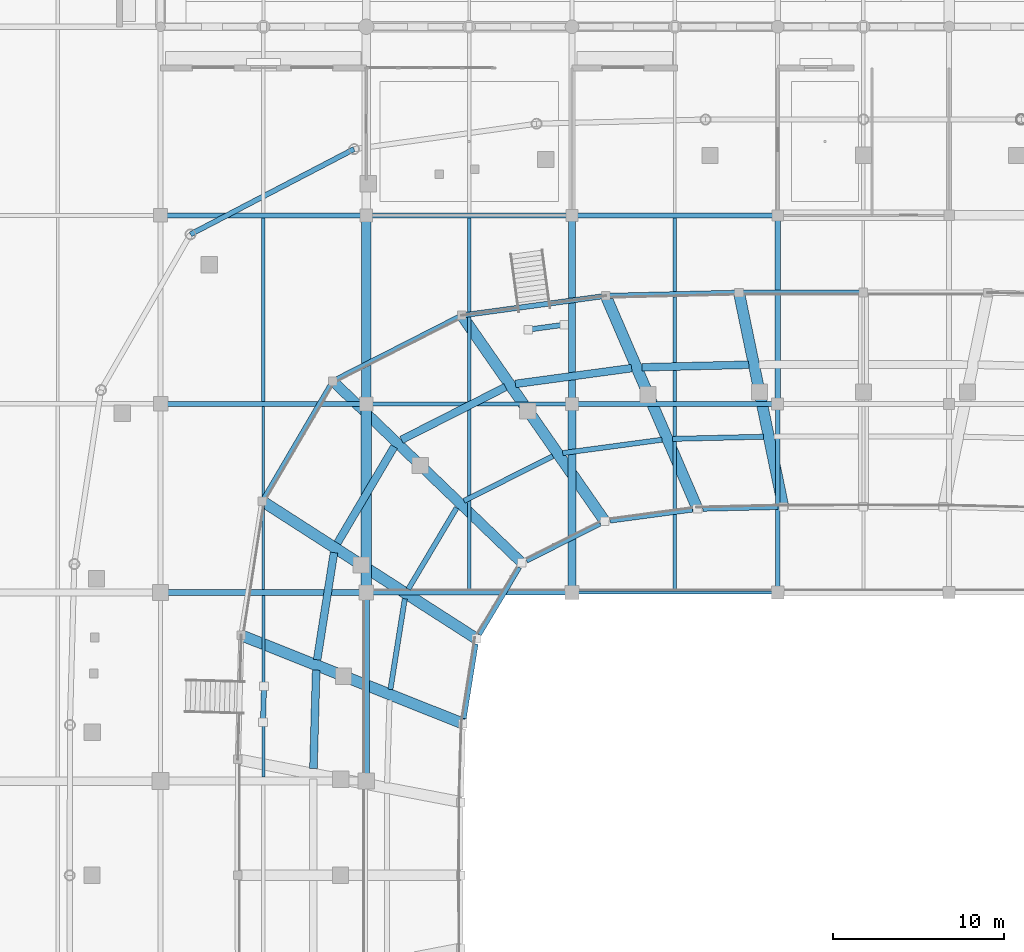
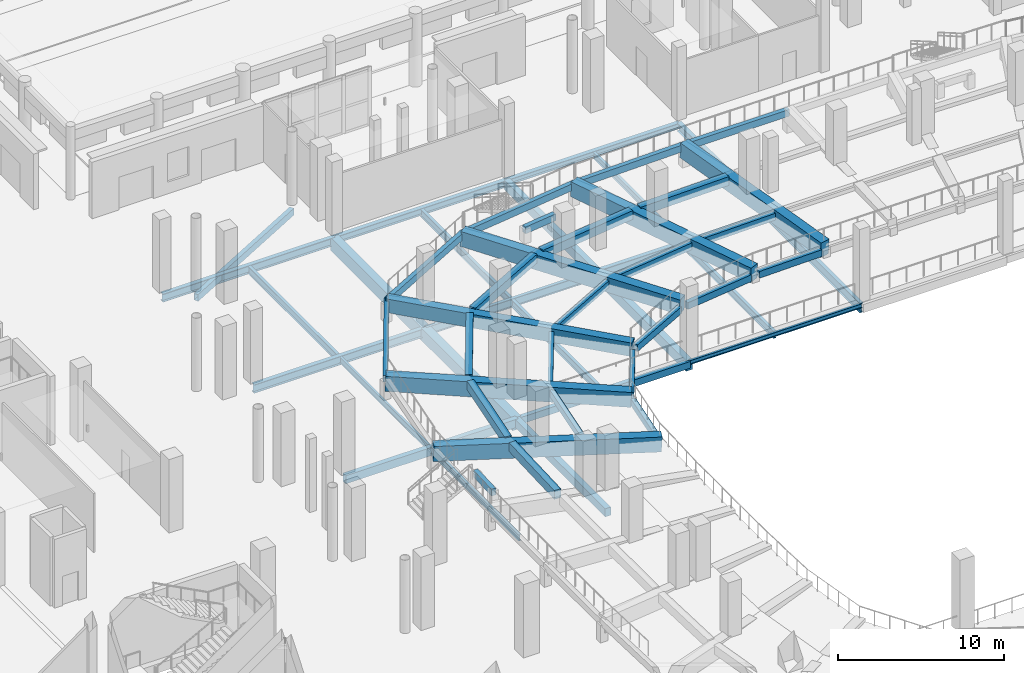
# One storey, part 25 of 120: 53 beams.
"""IFC4 building model written with IfcOpenShell, lengths in metres."""

from ifc_helpers import new_model, si_unit, direction, frame, origin, origin_2d, place, context, subcontext, project, spatial, rectangle, hollow_rectangle, i_section, extrude, material, material_profile, profile_set, type_object, element, save


model = new_model("IFC4")

# Units and contexts
model_context = context("Model", 3, precision=1e-05, world=origin(), true_north=direction((0.0, 1.0)))
body_context = subcontext(model_context, "Body", "Model", "MODEL_VIEW")
ifc_project = project(units=[si_unit("LENGTHUNIT", "METRE"), si_unit("AREAUNIT", "SQUARE_METRE"), si_unit("VOLUMEUNIT", "CUBIC_METRE"), si_unit("PLANEANGLEUNIT", "RADIAN"), si_unit("MASSUNIT", "GRAM", prefix="KILO")], contexts=[model_context])

# Site, building, storey
site_placement = place(None, origin())
site = spatial("IfcSite", under=ifc_project, at=site_placement, CompositionType="ELEMENT")
building_placement = place(site_placement, origin())
building = spatial("IfcBuilding", under=site, at=building_placement, Name="Luwafu Chhajja Arena", CompositionType="ELEMENT")
storey_placement = place(building_placement, origin())
storey = spatial("IfcBuildingStorey", under=building, at=storey_placement, Name="L00", CompositionType="ELEMENT", Elevation=0.0)

# Beams
ifc_material_1 = material(Name="Concrete C35/45", Category="concrete")
ifc_material_profile_1 = material_profile(ifc_material_1, rectangle(XDim=0.35009765625, YDim=0.60009765625, at=origin_2d()), Name="RC 350x600")
ifc_profile_set_1 = profile_set([ifc_material_profile_1], Name="Concrete C35/45")
beam_type_1 = type_object("IfcBeamType", Name="Arcade Tie Beam RC 350x600", PredefinedType="BEAM", material=ifc_profile_set_1)
beam_1_placement = place(storey_placement, frame((58.0, 66.0, -0.64990234375), z_axis=(1.0, 0.0, 0.0), x_axis=(0.0, 1.0, 0.0)))
element("IfcBeam", 1, at=beam_1_placement, inside=storey, type_object=beam_type_1, Name="L00 Grid Beam 6-7/G", PredefinedType="BEAM", context=body_context, shape_type="SweptSolid", body=[
    extrude(rectangle(XDim=0.35009765625, YDim=0.60009765625, at=origin_2d()), origin(), (0.0, 0.0, 1.0), 12.0),
])
ifc_material_2 = material(Name="Precast concrete C40/50", Category="concrete")
ifc_material_profile_2 = material_profile(ifc_material_2, rectangle(XDim=0.449951171875, YDim=0.64990234375, at=origin_2d()), Name="RC 450x650")
ifc_profile_set_2 = profile_set([ifc_material_profile_2], Name="Precast concrete C40/50")
beam_type_2 = type_object("IfcBeamType", Name="Bowl Tier Ring Beam RC 450x650", PredefinedType="BEAM", material=ifc_profile_set_2)
beam_2_placement = place(storey_placement, frame((92.311767578125, 79.28466796875, 1.304931640625), z_axis=(-0.999710285988, -0.024069567704, 0.0), x_axis=(0.024069567704, -0.999710285988, 0.0)))
element("IfcBeam", 2, at=beam_2_placement, inside=storey, type_object=beam_type_2, Name="Lower Tier Ring Beam S10-B3", PredefinedType="BEAM", context=body_context, shape_type="SweptSolid", body=[
    extrude(rectangle(XDim=0.449951171875, YDim=0.64990234375, at=origin_2d()), origin(), (0.0, 0.0, 1.0), 6.227783203125),
])
beam_3_placement = place(storey_placement, frame((85.478515625, 79.08642578125, 1.304931640625), z_axis=(-0.990929994437, -0.134379113429, 0.0), x_axis=(0.134379113429, -0.990929994437, 0.0)))
element("IfcBeam", 3, at=beam_3_placement, inside=storey, type_object=beam_type_2, Name="Lower Tier Ring Beam S11-B3", PredefinedType="BEAM", context=body_context, shape_type="SweptSolid", body=[
    extrude(rectangle(XDim=0.449951171875, YDim=0.64990234375, at=origin_2d()), origin(), (0.0, 0.0, 1.0), 6.842041015625),
])
beam_4_placement = place(storey_placement, frame((78.12451171875, 77.98779296875, 1.304931640625), z_axis=(-0.891546916396, -0.452928356216, 0.0), x_axis=(0.452928356216, -0.891546916396, 0.0)))
element("IfcBeam", 4, at=beam_4_placement, inside=storey, type_object=beam_type_2, Name="Lower Tier Ring Beam S12-B3", PredefinedType="BEAM", context=body_context, shape_type="SweptSolid", body=[
    extrude(rectangle(XDim=0.449951171875, YDim=0.64990234375, at=origin_2d()), origin(), (0.0, 0.0, 1.0), 6.807373046875),
])
beam_5_placement = place(storey_placement, frame((71.628662109375, 74.503662109375, 1.304931640625), z_axis=(-0.507802544164, -0.861473491258, 0.0), x_axis=(0.861473491258, -0.507802544164, 0.0)))
element("IfcBeam", 5, at=beam_5_placement, inside=storey, type_object=beam_type_2, Name="Lower Tier Ring Beam S13-B3", PredefinedType="BEAM", context=body_context, shape_type="SweptSolid", body=[
    extrude(rectangle(XDim=0.449951171875, YDim=0.64990234375, at=origin_2d()), origin(), (0.0, 0.0, 1.0), 6.516357421875),
])
beam_6_placement = place(storey_placement, frame((68.1171875, 68.325927734375, 1.304931640625), z_axis=(-0.155447556013, -0.987844146275, 0.0), x_axis=(0.987844146275, -0.155447556013, 0.0)))
element("IfcBeam", 6, at=beam_6_placement, inside=storey, type_object=beam_type_2, Name="Lower Tier Ring Beam S14-B3", PredefinedType="BEAM", context=body_context, shape_type="SweptSolid", body=[
    extrude(rectangle(XDim=0.449951171875, YDim=0.64990234375, at=origin_2d()), origin(), (0.0, 0.0, 1.0), 6.329345703125),
])
beam_7_placement = place(storey_placement, frame((67.077392578125, 61.46728515625, 1.304931640625), z_axis=(-0.02790877048, -0.9996104744, 0.0), x_axis=(0.9996104744, -0.02790877048, 0.0)))
element("IfcBeam", 7, at=beam_7_placement, inside=storey, type_object=beam_type_2, Name="Lower Tier Ring Beam S15-B3", PredefinedType="BEAM", context=body_context, shape_type="SweptSolid", body=[
    extrude(rectangle(XDim=0.449951171875, YDim=0.64990234375, at=origin_2d()), origin(), (0.0, 0.0, 1.0), 5.738525390625),
])
ifc_material_3 = material(Name="Steel S355", Category="steel")
ifc_material_profile_3 = material_profile(ifc_material_3, i_section(OverallWidth=0.165771484375, OverallDepth=0.306640625, WebThickness=0.006591796875, FlangeThickness=0.01171875, at=origin_2d()), Name="UB 305x165x46")
ifc_profile_set_3 = profile_set([ifc_material_profile_3], Name="Steel S355")
beam_type_3 = type_object("IfcBeamType", Name="Concourse Edge Spandrel Beam UB 305x165x46", PredefinedType="SPANDREL", material=ifc_profile_set_3)
beam_8_placement = place(storey_placement, frame((82.0, 66.0, -0.50341796875), z_axis=(1.0, 0.0, 0.0), x_axis=(0.0, 1.0, 0.0)))
element("IfcBeam", 8, at=beam_8_placement, inside=storey, type_object=beam_type_3, Name="L00 Grid Beam 8-9/G", PredefinedType="SPANDREL", context=body_context, shape_type="SweptSolid", body=[
    extrude(i_section(OverallWidth=0.165771484375, OverallDepth=0.306640625, WebThickness=0.006591796875, FlangeThickness=0.01171875, at=origin_2d()), origin(), (0.0, 0.0, 1.0), 12.0),
])
ifc_material_profile_4 = material_profile(ifc_material_1, rectangle(XDim=0.60009765625, YDim=0.89990234375, at=origin_2d()), Name="RC 600x900")
ifc_profile_set_4 = profile_set([ifc_material_profile_4], Name="Concrete C35/45")
beam_type_4 = type_object("IfcBeamType", Name="Concourse Primary Girder RC 600x900", PredefinedType="BEAM", material=ifc_profile_set_4)
beam_9_placement = place(storey_placement, frame((70.0, 66.0, -0.800048828125), z_axis=(0.0, 1.0, 0.0), x_axis=(-1.0, 0.0, 0.0)))
element("IfcBeam", 9, at=beam_9_placement, inside=storey, type_object=beam_type_4, Name="L00 Grid Beam 7/G-H", PredefinedType="BEAM", context=body_context, shape_type="SweptSolid", body=[
    extrude(rectangle(XDim=0.60009765625, YDim=0.89990234375, at=origin_2d()), origin(), (0.0, 0.0, 1.0), 11.0),
])
ifc_material_profile_5 = material_profile(ifc_material_1, rectangle(XDim=0.550048828125, YDim=0.949951171875, at=origin_2d()), Name="RC 550x950")
ifc_profile_set_5 = profile_set([ifc_material_profile_5], Name="Concrete C35/45")
beam_type_5 = type_object("IfcBeamType", Name="Concourse Radial Girder RC 550x950", PredefinedType="BEAM", material=ifc_profile_set_5)
beam_10_placement = place(storey_placement, frame((70.0, 77.0, -0.824951171875), z_axis=(0.0, 1.0, 0.0), x_axis=(-1.0, 0.0, 0.0)))
element("IfcBeam", 10, at=beam_10_placement, inside=storey, type_object=beam_type_5, Name="L00 Grid Beam 7/H-J", PredefinedType="BEAM", context=body_context, shape_type="SweptSolid", body=[
    extrude(rectangle(XDim=0.550048828125, YDim=0.949951171875, at=origin_2d()), origin(), (0.0, 0.0, 1.0), 11.0),
])
ifc_material_profile_6 = material_profile(ifc_material_3, i_section(OverallWidth=0.15283203125, OverallDepth=0.45458984375, WebThickness=0.008056640625, FlangeThickness=0.01318359375, at=origin_2d()), Name="UB 457x152x60")
ifc_profile_set_6 = profile_set([ifc_material_profile_6], Name="Steel S355")
beam_type_6 = type_object("IfcBeamType", Name="Floor Joist UB 457x152x60", PredefinedType="JOIST", material=ifc_profile_set_6)
beam_11_placement = place(storey_placement, frame((64.0, 66.175048828125, -0.577392578125), z_axis=(0.0, 1.0, 0.0), x_axis=(-1.0, 0.0, 0.0)))
element("IfcBeam", 11, at=beam_11_placement, inside=storey, type_object=beam_type_6, Name="L00 Secondary Joist 6-7/G", PredefinedType="JOIST", context=body_context, shape_type="SweptSolid", body=[
    extrude(i_section(OverallWidth=0.15283203125, OverallDepth=0.45458984375, WebThickness=0.008056640625, FlangeThickness=0.01318359375, at=origin_2d()), origin(), (0.0, 0.0, 1.0), 10.67138671875),
])
ifc_material_profile_7 = material_profile(ifc_material_3, i_section(OverallWidth=0.19140625, OverallDepth=0.4599609375, WebThickness=0.010009765625, FlangeThickness=0.01611328125, at=origin_2d()), Name="UB 457x191x82")
ifc_profile_set_7 = profile_set([ifc_material_profile_7], Name="Steel S355")
beam_type_7 = type_object("IfcBeamType", Name="Floor Joist UB 457x191x82", PredefinedType="JOIST", material=ifc_profile_set_7)
beam_12_placement = place(storey_placement, frame((64.0, 55.22509765625, -0.580078125), z_axis=(0.0, 1.0, 0.0), x_axis=(-1.0, 0.0, 0.0)))
element("IfcBeam", 12, at=beam_12_placement, inside=storey, type_object=beam_type_7, Name="L00 Secondary Joist 6-7/F", PredefinedType="JOIST", context=body_context, shape_type="SweptSolid", body=[
    extrude(i_section(OverallWidth=0.19140625, OverallDepth=0.4599609375, WebThickness=0.010009765625, FlangeThickness=0.01611328125, at=origin_2d()), origin(), (0.0, 0.0, 1.0), 10.599853515625),
])
beam_13_placement = place(storey_placement, frame((88.0, 77.14990234375, -0.580078125), z_axis=(0.0, 1.0, 0.0), x_axis=(-1.0, 0.0, 0.0)))
element("IfcBeam", 13, at=beam_13_placement, inside=storey, type_object=beam_type_7, Name="L00 Secondary Joist 8-9/H", PredefinedType="JOIST", context=body_context, shape_type="SweptSolid", body=[
    extrude(i_section(OverallWidth=0.19140625, OverallDepth=0.4599609375, WebThickness=0.010009765625, FlangeThickness=0.01611328125, at=origin_2d()), origin(), (0.0, 0.0, 1.0), 10.7001953125),
])
ifc_material_profile_8 = material_profile(ifc_material_3, i_section(OverallWidth=0.2099609375, OverallDepth=0.53662109375, WebThickness=0.0107421875, FlangeThickness=0.017333984375, at=origin_2d()), Name="UB 533x210x101")
ifc_profile_set_8 = profile_set([ifc_material_profile_8], Name="Steel S355")
beam_type_8 = type_object("IfcBeamType", Name="Floor Joist UB 533x210x101", PredefinedType="JOIST", material=ifc_profile_set_8)
beam_14_placement = place(storey_placement, frame((64.0, 77.153564453125, -0.618408203125), z_axis=(0.0, 1.0, 0.0), x_axis=(-1.0, 0.0, 0.0)))
element("IfcBeam", 14, at=beam_14_placement, inside=storey, type_object=beam_type_8, Name="L00 Secondary Joist 6-7/H", PredefinedType="JOIST", context=body_context, shape_type="SweptSolid", body=[
    extrude(i_section(OverallWidth=0.2099609375, OverallDepth=0.53662109375, WebThickness=0.0107421875, FlangeThickness=0.017333984375, at=origin_2d()), origin(), (0.0, 0.0, 1.0), 10.696533203125),
])
beam_15_placement = place(storey_placement, frame((76.0, 66.14990234375, -0.618408203125), z_axis=(0.0, 1.0, 0.0), x_axis=(-1.0, 0.0, 0.0)))
element("IfcBeam", 15, at=beam_15_placement, inside=storey, type_object=beam_type_8, Name="L00 Secondary Joist 7-8/G", PredefinedType="JOIST", context=body_context, shape_type="SweptSolid", body=[
    extrude(i_section(OverallWidth=0.2099609375, OverallDepth=0.53662109375, WebThickness=0.0107421875, FlangeThickness=0.017333984375, at=origin_2d()), origin(), (0.0, 0.0, 1.0), 10.735595703125),
])
ifc_material_profile_9 = material_profile(ifc_material_3, i_section(OverallWidth=0.209228515625, OverallDepth=0.533203125, WebThickness=0.010009765625, FlangeThickness=0.015625, at=origin_2d()), Name="UB 533x210x92")
ifc_profile_set_9 = profile_set([ifc_material_profile_9], Name="Steel S355")
beam_type_9 = type_object("IfcBeamType", Name="Floor Joist UB 533x210x92", PredefinedType="JOIST", material=ifc_profile_set_9)
beam_16_placement = place(storey_placement, frame((76.0, 77.114501953125, -0.616455078125), z_axis=(0.0, 1.0, 0.0), x_axis=(-1.0, 0.0, 0.0)))
element("IfcBeam", 16, at=beam_16_placement, inside=storey, type_object=beam_type_9, Name="L00 Secondary Joist 7-8/H", PredefinedType="JOIST", context=body_context, shape_type="SweptSolid", body=[
    extrude(i_section(OverallWidth=0.209228515625, OverallDepth=0.533203125, WebThickness=0.010009765625, FlangeThickness=0.015625, at=origin_2d()), origin(), (0.0, 0.0, 1.0), 10.735595703125),
])
beam_17_placement = place(storey_placement, frame((88.0, 66.082763671875, -0.616455078125), z_axis=(0.0, 1.0, 0.0), x_axis=(-1.0, 0.0, 0.0)))
element("IfcBeam", 17, at=beam_17_placement, inside=storey, type_object=beam_type_9, Name="L00 Secondary Joist 8-9/G", PredefinedType="JOIST", context=body_context, shape_type="SweptSolid", body=[
    extrude(i_section(OverallWidth=0.209228515625, OverallDepth=0.533203125, WebThickness=0.010009765625, FlangeThickness=0.015625, at=origin_2d()), origin(), (0.0, 0.0, 1.0), 10.767333984375),
])
ifc_material_profile_10 = material_profile(ifc_material_3, hollow_rectangle(XDim=0.300048828125, YDim=0.5, WallThickness=0.02001953125, at=origin_2d()), Name="RHS 500x300x20")
ifc_profile_set_10 = profile_set([ifc_material_profile_10], Name="Steel S355")
beam_type_10 = type_object("IfcBeamType", Name="Pleated Drum Spandrel Beam RHS 500x300", PredefinedType="SPANDREL", material=ifc_profile_set_10)
beam_18_placement = place(storey_placement, frame((70.0, 66.0, -0.60009765625), z_axis=(1.0, 0.0, 0.0), x_axis=(0.0, 1.0, 0.0)))
element("IfcBeam", 18, at=beam_18_placement, inside=storey, type_object=beam_type_10, Name="L00 Grid Beam 7-8/G", PredefinedType="SPANDREL", context=body_context, shape_type="SweptSolid", body=[
    extrude(hollow_rectangle(XDim=0.300048828125, YDim=0.5, WallThickness=0.02001953125, at=origin_2d()), origin(), (0.0, 0.0, 1.0), 12.0),
])
beam_19_placement = place(storey_placement, frame((69.281982421875, 91.86279296875, -0.60009765625), z_axis=(-0.886755170812, -0.462239404463, 0.0), x_axis=(0.462239404463, -0.886755170812, 0.0)))
element("IfcBeam", 19, at=beam_19_placement, inside=storey, type_object=beam_type_10, Name="L00 Drum Ring Spandrel D12-D13", PredefinedType="SPANDREL", context=body_context, shape_type="SweptSolid", body=[
    extrude(hollow_rectangle(XDim=0.300048828125, YDim=0.5, WallThickness=0.02001953125, at=origin_2d()), origin(), (0.0, 0.0, 1.0), 10.756103515625),
])
ifc_material_profile_11 = material_profile(ifc_material_1, rectangle(XDim=0.39990234375, YDim=0.60009765625, at=origin_2d()), Name="RC 400x600")
ifc_profile_set_11 = profile_set([ifc_material_profile_11], Name="Concrete C35/45")
beam_type_11 = type_object("IfcBeamType", Name="Podium Perimeter Spandrel RC 400x600", PredefinedType="SPANDREL", material=ifc_profile_set_11)
beam_20_placement = place(storey_placement, frame((70.0, 55.0, -0.64990234375), z_axis=(0.0, 1.0, 0.0), x_axis=(-1.0, 0.0, 0.0)))
element("IfcBeam", 20, at=beam_20_placement, inside=storey, type_object=beam_type_11, Name="L00 Grid Beam 7/F-G", PredefinedType="SPANDREL", context=body_context, shape_type="SweptSolid", body=[
    extrude(rectangle(XDim=0.39990234375, YDim=0.60009765625, at=origin_2d()), origin(), (0.0, 0.0, 1.0), 11.0),
])
ifc_material_4 = material(Name="Precast concrete C45/55", Category="concrete")
ifc_material_profile_12 = material_profile(ifc_material_4, rectangle(XDim=0.60009765625, YDim=1.0, at=origin_2d()), Name="PC 600x1000")
ifc_profile_set_12 = profile_set([ifc_material_profile_12], Name="Precast concrete C45/55")
beam_type_12 = type_object("IfcBeamType", Name="Precast Corner Bowl Raker PC 600x1000", PredefinedType="USERDEFINED", material=ifc_profile_set_12)
beam_21_placement = place(storey_placement, frame((79.0751953125, 67.72900390625, 0.580078125), z_axis=(-0.720075668487, 0.692387198367, 0.045727444604), x_axis=(-0.693112226125, -0.720829690007, 0.0)))
element("IfcBeam", 21, at=beam_21_placement, inside=storey, type_object=beam_type_12, Name="Lower Bowl Raker RKR-L13", ObjectType="RAKER", PredefinedType="USERDEFINED", context=body_context, shape_type="SweptSolid", body=[
    extrude(rectangle(XDim=0.60009765625, YDim=1.0, at=origin_2d()), origin(), (0.0, 0.0, 1.0), 15.30712890625),
])
ifc_material_profile_13 = material_profile(ifc_material_4, rectangle(XDim=0.64990234375, YDim=1.10009765625, at=origin_2d()), Name="PC 650x1100")
ifc_profile_set_13 = profile_set([ifc_material_profile_13], Name="Precast concrete C45/55")
beam_type_13 = type_object("IfcBeamType", Name="Precast Lower Bowl Raker PC 650x1100", PredefinedType="USERDEFINED", material=ifc_profile_set_13)
beam_22_placement = place(storey_placement, frame((94.326904296875, 70.994140625, 0.530029296875), z_axis=(-0.20227940935, 0.97779524478, 0.054767689735), x_axis=(-0.979265000346, -0.202583462053, 0.0)))
element("IfcBeam", 22, at=beam_22_placement, inside=storey, type_object=beam_type_13, Name="Lower Bowl Raker RKR-L10", ObjectType="RAKER", PredefinedType="USERDEFINED", context=body_context, shape_type="SweptSolid", body=[
    extrude(rectangle(XDim=0.64990234375, YDim=1.10009765625, at=origin_2d()), origin(), (0.0, 0.0, 1.0), 12.7802734375),
])
beam_23_placement = place(storey_placement, frame((89.322265625, 70.87548828125, 0.530029296875), z_axis=(-0.395097554178, 0.917185602785, 0.051657455665), x_axis=(-0.918411808978, -0.395625769041, 0.0)))
element("IfcBeam", 23, at=beam_23_placement, inside=storey, type_object=beam_type_13, Name="Lower Bowl Raker RKR-L11", ObjectType="RAKER", PredefinedType="USERDEFINED", context=body_context, shape_type="SweptSolid", body=[
    extrude(rectangle(XDim=0.64990234375, YDim=1.10009765625, at=origin_2d()), origin(), (0.0, 0.0, 1.0), 13.5498046875),
])
beam_24_placement = place(storey_placement, frame((83.91650390625, 70.153076171875, 0.530029296875), z_axis=(-0.570003729525, 0.820249676085, 0.047814403785), x_axis=(-0.821188921344, -0.570656425059, 0.0)))
element("IfcBeam", 24, at=beam_24_placement, inside=storey, type_object=beam_type_13, Name="Lower Bowl Raker RKR-L12", ObjectType="RAKER", PredefinedType="USERDEFINED", context=body_context, shape_type="SweptSolid", body=[
    extrude(rectangle(XDim=0.64990234375, YDim=1.10009765625, at=origin_2d()), origin(), (0.0, 0.0, 1.0), 14.638916015625),
])
beam_25_placement = place(storey_placement, frame((76.42578125, 63.2998046875, 0.530029296875), z_axis=(-0.840387777065, 0.539934770629, 0.047104433174), x_axis=(-0.540534780395, -0.84132166927, 0.0)))
element("IfcBeam", 25, at=beam_25_placement, inside=storey, type_object=beam_type_13, Name="Lower Bowl Raker RKR-L14", ObjectType="RAKER", PredefinedType="USERDEFINED", context=body_context, shape_type="SweptSolid", body=[
    extrude(rectangle(XDim=0.64990234375, YDim=1.10009765625, at=origin_2d()), origin(), (0.0, 0.0, 1.0), 14.859619140625),
])
beam_26_placement = place(storey_placement, frame((75.635986328125, 58.35400390625, 0.530029296875), z_axis=(-0.927852740842, 0.369546185128, 0.050248466339), x_axis=(-0.370013605587, -0.9290263353, 0.0)))
element("IfcBeam", 26, at=beam_26_placement, inside=storey, type_object=beam_type_13, Name="Lower Bowl Raker RKR-L15", ObjectType="RAKER", PredefinedType="USERDEFINED", context=body_context, shape_type="SweptSolid", body=[
    extrude(rectangle(XDim=0.64990234375, YDim=1.10009765625, at=origin_2d()), origin(), (0.0, 0.0, 1.0), 13.9296875),
])
ifc_material_profile_14 = material_profile(ifc_material_3, i_section(OverallWidth=0.300048828125, OverallDepth=0.5, WebThickness=0.014404296875, FlangeThickness=0.028076171875, at=origin_2d()), Name="HEB 500")
ifc_profile_set_14 = profile_set([ifc_material_profile_14], Name="Steel S355")
beam_type_14 = type_object("IfcBeamType", Name="Steel Atrium Tie Girder HEB 500", PredefinedType="BEAM", material=ifc_profile_set_14)
beam_27_placement = place(storey_placement, frame((70.0, 88.0, -0.60009765625), z_axis=(1.0, 0.0, 0.0), x_axis=(0.0, 1.0, 0.0)))
element("IfcBeam", 27, at=beam_27_placement, inside=storey, type_object=beam_type_14, Name="L00 Grid Beam 7-8/J", PredefinedType="BEAM", context=body_context, shape_type="SweptSolid", body=[
    extrude(i_section(OverallWidth=0.300048828125, OverallDepth=0.5, WebThickness=0.014404296875, FlangeThickness=0.028076171875, at=origin_2d()), origin(), (0.0, 0.0, 1.0), 12.0),
])
ifc_material_profile_15 = material_profile(ifc_material_3, i_section(OverallWidth=0.253662109375, OverallDepth=0.68359375, WebThickness=0.012451171875, FlangeThickness=0.01904296875, at=origin_2d()), Name="UB 686x254x140")
ifc_profile_set_15 = profile_set([ifc_material_profile_15], Name="Steel S355")
beam_type_15 = type_object("IfcBeamType", Name="Steel Concourse Girder UB 686x254x140", PredefinedType="BEAM", material=ifc_profile_set_15)
beam_28_placement = place(storey_placement, frame((94.0, 66.0, -0.691650390625), z_axis=(0.0, 1.0, 0.0), x_axis=(-1.0, 0.0, 0.0)))
element("IfcBeam", 28, at=beam_28_placement, inside=storey, type_object=beam_type_15, Name="L00 Grid Beam 9/G-H", PredefinedType="BEAM", context=body_context, shape_type="SweptSolid", body=[
    extrude(i_section(OverallWidth=0.253662109375, OverallDepth=0.68359375, WebThickness=0.012451171875, FlangeThickness=0.01904296875, at=origin_2d()), origin(), (0.0, 0.0, 1.0), 11.0),
])
ifc_material_profile_16 = material_profile(ifc_material_3, i_section(OverallWidth=0.300048828125, OverallDepth=0.60009765625, WebThickness=0.015380859375, FlangeThickness=0.030029296875, at=origin_2d()), Name="HEB 600")
ifc_profile_set_16 = profile_set([ifc_material_profile_16], Name="Steel S355")
beam_type_16 = type_object("IfcBeamType", Name="Steel Gallery Girder HEB 600", PredefinedType="BEAM", material=ifc_profile_set_16)
for number, where, z_axis, x_axis, name in (
    (29, (58.0, 88.0, -0.64990234375), (1.0, 0.0, 0.0), (0.0, 1.0, 0.0), "L00 Grid Beam 6-7/J"),
    (30, (82.0, 77.0, -0.64990234375), (1.0, 0.0, 0.0), (0.0, 1.0, 0.0), "L00 Grid Beam 8-9/H"),
):
    element("IfcBeam", number, at=place(storey_placement, frame(where, z_axis=z_axis, x_axis=x_axis)), inside=storey, type_object=beam_type_16, Name=name, PredefinedType="BEAM", context=body_context, shape_type="SweptSolid", body=[
        extrude(i_section(OverallWidth=0.300048828125, OverallDepth=0.60009765625, WebThickness=0.015380859375, FlangeThickness=0.030029296875, at=origin_2d()), origin(), (0.0, 0.0, 1.0), 12.0),
    ])
ifc_material_profile_17 = material_profile(ifc_material_3, i_section(OverallWidth=0.30712890625, OverallDepth=0.6201171875, WebThickness=0.01416015625, FlangeThickness=0.023681640625, at=origin_2d()), Name="UB 610x305x179")
ifc_profile_set_17 = profile_set([ifc_material_profile_17], Name="Steel S355")
beam_type_17 = type_object("IfcBeamType", Name="Steel Hospitality Girder UB 610x305x179", PredefinedType="BEAM", material=ifc_profile_set_17)
beam_29_placement = place(storey_placement, frame((58.0, 77.0, -0.66015625), z_axis=(1.0, 0.0, 0.0), x_axis=(0.0, 1.0, 0.0)))
element("IfcBeam", 31, at=beam_29_placement, inside=storey, type_object=beam_type_17, Name="L00 Grid Beam 6-7/H", PredefinedType="BEAM", context=body_context, shape_type="SweptSolid", body=[
    extrude(i_section(OverallWidth=0.30712890625, OverallDepth=0.6201171875, WebThickness=0.01416015625, FlangeThickness=0.023681640625, at=origin_2d()), origin(), (0.0, 0.0, 1.0), 12.0),
])
beam_30_placement = place(storey_placement, frame((94.0, 77.0, -0.66015625), z_axis=(0.0, 1.0, 0.0), x_axis=(-1.0, 0.0, 0.0)))
element("IfcBeam", 32, at=beam_30_placement, inside=storey, type_object=beam_type_17, Name="L00 Grid Beam 9/H-J", PredefinedType="BEAM", context=body_context, shape_type="SweptSolid", body=[
    extrude(i_section(OverallWidth=0.30712890625, OverallDepth=0.6201171875, WebThickness=0.01416015625, FlangeThickness=0.023681640625, at=origin_2d()), origin(), (0.0, 0.0, 1.0), 11.0),
])
ifc_material_profile_18 = material_profile(ifc_material_3, i_section(OverallWidth=0.22900390625, OverallDepth=0.6123046875, WebThickness=0.011962890625, FlangeThickness=0.01953125, at=origin_2d()), Name="UB 610x229x125")
ifc_profile_set_18 = profile_set([ifc_material_profile_18], Name="Steel S355")
beam_type_18 = type_object("IfcBeamType", Name="Steel Mezzanine Girder UB 610x229x125", PredefinedType="BEAM", material=ifc_profile_set_18)
beam_31_placement = place(storey_placement, frame((70.0, 77.0, -0.656005859375), z_axis=(1.0, 0.0, 0.0), x_axis=(0.0, 1.0, 0.0)))
element("IfcBeam", 33, at=beam_31_placement, inside=storey, type_object=beam_type_18, Name="L00 Grid Beam 7-8/H", PredefinedType="BEAM", context=body_context, shape_type="SweptSolid", body=[
    extrude(i_section(OverallWidth=0.22900390625, OverallDepth=0.6123046875, WebThickness=0.011962890625, FlangeThickness=0.01953125, at=origin_2d()), origin(), (0.0, 0.0, 1.0), 12.0),
])
ifc_material_profile_19 = material_profile(ifc_material_3, i_section(OverallWidth=0.300048828125, OverallDepth=0.39990234375, WebThickness=0.013427734375, FlangeThickness=0.02392578125, at=origin_2d()), Name="HEB 400")
ifc_profile_set_19 = profile_set([ifc_material_profile_19], Name="Steel S355")
beam_type_19 = type_object("IfcBeamType", Name="Steel Rigging Grid Beam HEB 400", PredefinedType="BEAM", material=ifc_profile_set_19)
beam_32_placement = place(storey_placement, frame((82.0, 88.0, -0.550048828125), z_axis=(1.0, 0.0, 0.0), x_axis=(0.0, 1.0, 0.0)))
element("IfcBeam", 34, at=beam_32_placement, inside=storey, type_object=beam_type_19, Name="L00 Grid Beam 8-9/J", PredefinedType="BEAM", context=body_context, shape_type="SweptSolid", body=[
    extrude(i_section(OverallWidth=0.300048828125, OverallDepth=0.39990234375, WebThickness=0.013427734375, FlangeThickness=0.02392578125, at=origin_2d()), origin(), (0.0, 0.0, 1.0), 12.0),
])
ifc_material_profile_20 = material_profile(ifc_material_2, rectangle(XDim=0.300048828125, YDim=0.5, at=origin_2d()), Name="RC 300x500")
ifc_profile_set_20 = profile_set([ifc_material_profile_20], Name="Precast concrete C40/50")
beam_type_20 = type_object("IfcBeamType", Name="Tier Support Beam RC 300x500", PredefinedType="BEAM", material=ifc_profile_set_20)
beam_33_placement = place(storey_placement, frame((99.0, 83.5, 1.3798828125), z_axis=(-0.999999183141, -0.001278169154, 0.0), x_axis=(0.001278169154, -0.999999183141, 0.0)))
element("IfcBeam", 35, at=beam_33_placement, inside=storey, type_object=beam_type_20, Name="Lower Tier Outer Ring Beam S09", PredefinedType="BEAM", context=body_context, shape_type="SweptSolid", body=[
    extrude(rectangle(XDim=0.300048828125, YDim=0.5, at=origin_2d()), origin(), (0.0, 0.0, 1.0), 7.25830078125),
])
beam_34_placement = place(storey_placement, frame((91.74169921875, 83.49072265625, 1.3798828125), z_axis=(-0.999709188612, -0.024115103237, 0.0), x_axis=(0.024115103237, -0.999709188612, 0.0)))
element("IfcBeam", 36, at=beam_34_placement, inside=storey, type_object=beam_type_20, Name="Lower Tier Outer Ring Beam S10", PredefinedType="BEAM", context=body_context, shape_type="SweptSolid", body=[
    extrude(rectangle(XDim=0.300048828125, YDim=0.5, at=origin_2d()), origin(), (0.0, 0.0, 1.0), 7.775146484375),
])
beam_35_placement = place(storey_placement, frame((94.02197265625, 70.987060546875, 0.3798828125), z_axis=(-0.999718778021, -0.023714233555, 0.0), x_axis=(0.023714233555, -0.999718778021, 0.0)))
element("IfcBeam", 37, at=beam_35_placement, inside=storey, type_object=beam_type_20, Name="Lower Tier Ring Beam S10-B1", PredefinedType="BEAM", context=body_context, shape_type="SweptSolid", body=[
    extrude(rectangle(XDim=0.300048828125, YDim=0.5, at=origin_2d()), origin(), (0.0, 0.0, 1.0), 4.39599609375),
])
beam_36_placement = place(storey_placement, frame((93.166748046875, 75.085693359375, 0.8798828125), z_axis=(-0.99971544851, -0.023854182234, 0.0), x_axis=(0.023854182234, -0.99971544851, 0.0)))
element("IfcBeam", 38, at=beam_36_placement, inside=storey, type_object=beam_type_20, Name="Lower Tier Ring Beam S10-B2", PredefinedType="BEAM", context=body_context, shape_type="SweptSolid", body=[
    extrude(rectangle(XDim=0.300048828125, YDim=0.5, at=origin_2d()), origin(), (0.0, 0.0, 1.0), 5.311767578125),
])
beam_37_placement = place(storey_placement, frame((83.96875, 83.30322265625, 1.3798828125), z_axis=(-0.990867998355, -0.134835491751, 0.0), x_axis=(0.134835491751, -0.990867998355, 0.0)))
element("IfcBeam", 39, at=beam_37_placement, inside=storey, type_object=beam_type_20, Name="Lower Tier Outer Ring Beam S11", PredefinedType="BEAM", context=body_context, shape_type="SweptSolid", body=[
    extrude(rectangle(XDim=0.300048828125, YDim=0.5, at=origin_2d()), origin(), (0.0, 0.0, 1.0), 8.473876953125),
])
beam_38_placement = place(storey_placement, frame((89.02001953125, 70.835205078125, 0.3798828125), z_axis=(-0.991182503629, -0.132503752773, 0.0), x_axis=(0.132503752773, -0.991182503629, 0.0)))
element("IfcBeam", 40, at=beam_38_placement, inside=storey, type_object=beam_type_20, Name="Lower Tier Ring Beam S11-B1", PredefinedType="BEAM", context=body_context, shape_type="SweptSolid", body=[
    extrude(rectangle(XDim=0.300048828125, YDim=0.5, at=origin_2d()), origin(), (0.0, 0.0, 1.0), 4.843994140625),
])
beam_39_placement = place(storey_placement, frame((87.249267578125, 74.9111328125, 0.8798828125), z_axis=(-0.991070646103, -0.133337820715, 0.0), x_axis=(0.133337820715, -0.991070646103, 0.0)))
element("IfcBeam", 41, at=beam_39_placement, inside=storey, type_object=beam_type_20, Name="Lower Tier Ring Beam S11-B2", PredefinedType="BEAM", context=body_context, shape_type="SweptSolid", body=[
    extrude(rectangle(XDim=0.300048828125, YDim=0.5, at=origin_2d()), origin(), (0.0, 0.0, 1.0), 5.8427734375),
])
beam_40_placement = place(storey_placement, frame((81.63623046875, 81.632080078125, 0.89990234375), z_axis=(-0.990857921201, -0.134909525211, 0.0), x_axis=(0.134909525211, -0.990857921201, 0.0)))
element("IfcBeam", 42, at=beam_40_placement, inside=storey, type_object=beam_type_20, Name="L00 Vomitory Header Beam S11", PredefinedType="BEAM", context=body_context, shape_type="SweptSolid", body=[
    extrude(rectangle(XDim=0.300048828125, YDim=0.5, at=origin_2d()), origin(), (0.0, 0.0, 1.0), 2.300048828125),
])
beam_41_placement = place(storey_placement, frame((75.572265625, 82.16064453125, 1.3798828125), z_axis=(-0.890911425489, -0.45417709314, 0.0), x_axis=(0.45417709314, -0.890911425489, 0.0)))
element("IfcBeam", 43, at=beam_41_placement, inside=storey, type_object=beam_type_20, Name="Lower Tier Outer Ring Beam S12", PredefinedType="BEAM", context=body_context, shape_type="SweptSolid", body=[
    extrude(rectangle(XDim=0.300048828125, YDim=0.5, at=origin_2d()), origin(), (0.0, 0.0, 1.0), 8.43994140625),
])
beam_42_placement = place(storey_placement, frame((83.643798828125, 70.0166015625, 0.3798828125), z_axis=(-0.89416279035, -0.447742006466, 0.0), x_axis=(0.447742006466, -0.89416279035, 0.0)))
element("IfcBeam", 44, at=beam_42_placement, inside=storey, type_object=beam_type_20, Name="Lower Tier Ring Beam S12-B1", PredefinedType="BEAM", context=body_context, shape_type="SweptSolid", body=[
    extrude(rectangle(XDim=0.300048828125, YDim=0.5, at=origin_2d()), origin(), (0.0, 0.0, 1.0), 4.804443359375),
])
beam_43_placement = place(storey_placement, frame((80.884033203125, 73.9541015625, 0.8798828125), z_axis=(-0.893009121174, -0.450038564459, 0.0), x_axis=(0.450038564459, -0.893009121174, 0.0)))
element("IfcBeam", 45, at=beam_43_placement, inside=storey, type_object=beam_type_20, Name="Lower Tier Ring Beam S12-B2", PredefinedType="BEAM", context=body_context, shape_type="SweptSolid", body=[
    extrude(rectangle(XDim=0.300048828125, YDim=0.5, at=origin_2d()), origin(), (0.0, 0.0, 1.0), 5.802978515625),
])
beam_44_placement = place(storey_placement, frame((68.052978515625, 78.327392578125, 1.3798828125), z_axis=(-0.506540670535, -0.862216068682, 0.0), x_axis=(0.862216068682, -0.506540670535, 0.0)))
element("IfcBeam", 46, at=beam_44_placement, inside=storey, type_object=beam_type_20, Name="Lower Tier Outer Ring Beam S13", PredefinedType="BEAM", context=body_context, shape_type="SweptSolid", body=[
    extrude(rectangle(XDim=0.300048828125, YDim=0.5, at=origin_2d()), origin(), (0.0, 0.0, 1.0), 8.123779296875),
])
beam_45_placement = place(storey_placement, frame((78.918701171875, 67.46728515625, 0.3798828125), z_axis=(-0.513319836425, -0.858197381453, 0.0), x_axis=(0.858197381453, -0.513319836425, 0.0)))
element("IfcBeam", 47, at=beam_45_placement, inside=storey, type_object=beam_type_20, Name="Lower Tier Ring Beam S13-B1", PredefinedType="BEAM", context=body_context, shape_type="SweptSolid", body=[
    extrude(rectangle(XDim=0.300048828125, YDim=0.5, at=origin_2d()), origin(), (0.0, 0.0, 1.0), 4.551025390625),
])
beam_46_placement = place(storey_placement, frame((75.273681640625, 70.943115234375, 0.8798828125), z_axis=(-0.510904210023, -0.85963764935, 0.0), x_axis=(0.85963764935, -0.510904210023, 0.0)))
element("IfcBeam", 48, at=beam_46_placement, inside=storey, type_object=beam_type_20, Name="Lower Tier Ring Beam S13-B2", PredefinedType="BEAM", context=body_context, shape_type="SweptSolid", body=[
    extrude(rectangle(XDim=0.300048828125, YDim=0.5, at=origin_2d()), origin(), (0.0, 0.0, 1.0), 5.52490234375),
])
beam_47_placement = place(storey_placement, frame((76.377685546875, 62.998779296875, 0.3798828125), z_axis=(-0.157689589351, -0.987488730776, 0.0), x_axis=(0.987488730776, -0.157689589351, 0.0)))
element("IfcBeam", 49, at=beam_47_placement, inside=storey, type_object=beam_type_20, Name="Lower Tier Ring Beam S14-B1", PredefinedType="BEAM", context=body_context, shape_type="SweptSolid", body=[
    extrude(rectangle(XDim=0.300048828125, YDim=0.5, at=origin_2d()), origin(), (0.0, 0.0, 1.0), 4.3984375),
])
beam_48_placement = place(storey_placement, frame((72.247314453125, 65.63037109375, 0.8798828125), z_axis=(-0.156672208584, -0.987650656385, 0.0), x_axis=(0.987650656385, -0.156672208584, 0.0)))
element("IfcBeam", 50, at=beam_48_placement, inside=storey, type_object=beam_type_20, Name="Lower Tier Ring Beam S14-B2", PredefinedType="BEAM", context=body_context, shape_type="SweptSolid", body=[
    extrude(rectangle(XDim=0.300048828125, YDim=0.5, at=origin_2d()), origin(), (0.0, 0.0, 1.0), 5.352783203125),
])
beam_49_placement = place(storey_placement, frame((64.036865234375, 60.63330078125, 0.89990234375), z_axis=(-0.027808311512, -0.999613274127, 0.0), x_axis=(0.999613274127, -0.027808311512, 0.0)))
element("IfcBeam", 51, at=beam_49_placement, inside=storey, type_object=beam_type_20, Name="L00 Vomitory Header Beam S15", PredefinedType="BEAM", context=body_context, shape_type="SweptSolid", body=[
    extrude(rectangle(XDim=0.300048828125, YDim=0.5, at=origin_2d()), origin(), (0.0, 0.0, 1.0), 2.30029296875),
])
ifc_material_profile_21 = material_profile(ifc_material_1, rectangle(XDim=0.39990234375, YDim=0.699951171875, at=origin_2d()), Name="RC 400x700")
ifc_profile_set_21 = profile_set([ifc_material_profile_21], Name="Concrete C35/45")
beam_type_21 = type_object("IfcBeamType", Name="Wing Frame Beam RC 400x700", PredefinedType="BEAM", material=ifc_profile_set_21)
beam_50_placement = place(storey_placement, frame((82.0, 77.0, -0.699951171875), z_axis=(0.0, 1.0, 0.0), x_axis=(-1.0, 0.0, 0.0)))
element("IfcBeam", 52, at=beam_50_placement, inside=storey, type_object=beam_type_21, Name="L00 Grid Beam 8/H-J", PredefinedType="BEAM", context=body_context, shape_type="SweptSolid", body=[
    extrude(rectangle(XDim=0.39990234375, YDim=0.699951171875, at=origin_2d()), origin(), (0.0, 0.0, 1.0), 11.0),
])
ifc_material_profile_22 = material_profile(ifc_material_1, rectangle(XDim=0.449951171875, YDim=0.75, at=origin_2d()), Name="RC 450x750")
ifc_profile_set_22 = profile_set([ifc_material_profile_22], Name="Concrete C35/45")
beam_type_22 = type_object("IfcBeamType", Name="Wing Primary Beam RC 450x750", PredefinedType="BEAM", material=ifc_profile_set_22)
beam_51_placement = place(storey_placement, frame((82.0, 66.0, -0.72509765625), z_axis=(0.0, 1.0, 0.0), x_axis=(-1.0, 0.0, 0.0)))
element("IfcBeam", 53, at=beam_51_placement, inside=storey, type_object=beam_type_22, Name="L00 Grid Beam 8/G-H", PredefinedType="BEAM", context=body_context, shape_type="SweptSolid", body=[
    extrude(rectangle(XDim=0.449951171875, YDim=0.75, at=origin_2d()), origin(), (0.0, 0.0, 1.0), 11.0),
])

save(model, "model.ifc")
